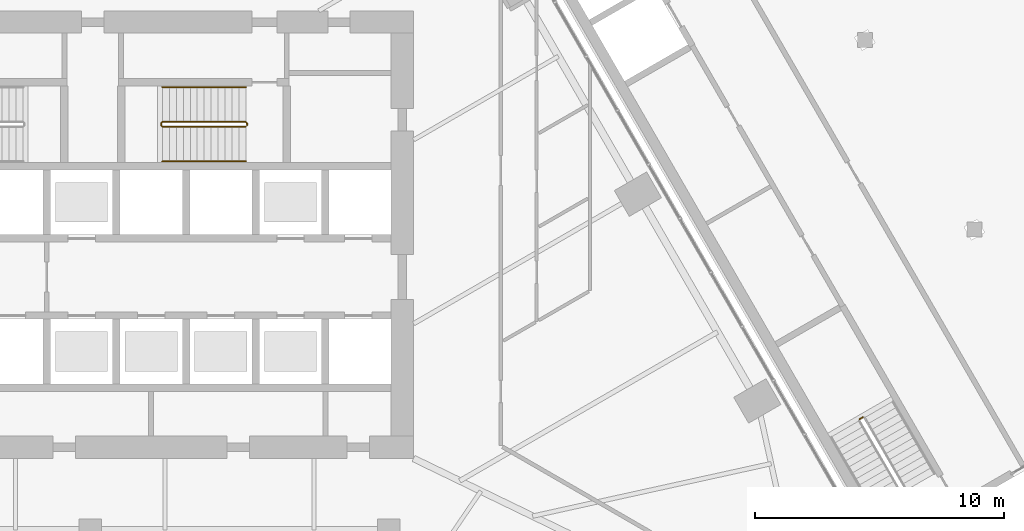
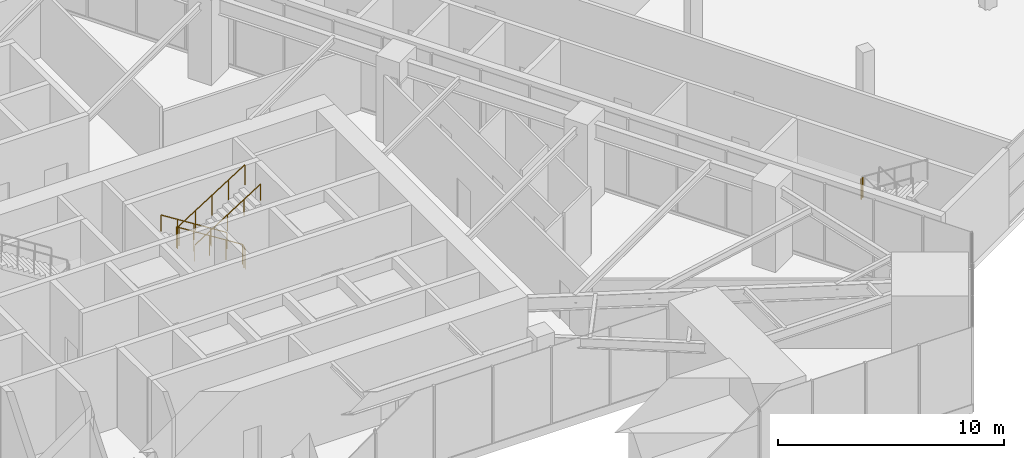
# One storey, part 24 of 29: 4 railings.
"""IFC4 building model written with IfcOpenShell, lengths in metres."""

from ifc_helpers import new_model, si_unit, direction, frame, origin, origin_2d, place, context, subcontext, project, spatial, circle, extrude, material, type_object, element, save


model = new_model("IFC4")

# Units and contexts
model_context = context("Model", 3, precision=1e-05, world=origin(), true_north=direction((0.0, 1.0)))
body_context = subcontext(model_context, "Body", "Model", "MODEL_VIEW")
ifc_project = project(units=[si_unit("LENGTHUNIT", "METRE"), si_unit("AREAUNIT", "SQUARE_METRE"), si_unit("VOLUMEUNIT", "CUBIC_METRE"), si_unit("PLANEANGLEUNIT", "RADIAN"), si_unit("MASSUNIT", "GRAM", prefix="KILO")], contexts=[model_context])

# Site, building, storey
site_placement = place(None, origin())
site = spatial("IfcSite", under=ifc_project, at=site_placement, CompositionType="ELEMENT")
building_placement = place(site_placement, origin())
building = spatial("IfcBuilding", under=site, at=building_placement, Name="Firuza Gate Tower and Library", CompositionType="ELEMENT")
storey_placement = place(building_placement, frame((0.0, 0.0, 17.199951171875)))
storey = spatial("IfcBuildingStorey", under=building, at=storey_placement, Name="L03", CompositionType="ELEMENT", Elevation=17.199951171875)

# Railings
ifc_material_1 = material(Name="Steel S355", Category="steel")
railing_type_1 = type_object("IfcRailingType", Name="LIB GUARD", PredefinedType="GUARDRAIL", material=ifc_material_1)
railing_1_placement = place(storey_placement, frame((106.066650390625, 67.659912109375, 2.300048828125)))
element("IfcRailing", 1, at=railing_1_placement, inside=storey, type_object=railing_type_1, Name="L03 LIB-ST-B stair guard 2", PredefinedType="GUARDRAIL", context=body_context, shape_type="SweptSolid", body=[
    extrude(circle(Radius=0.02392578125, at=origin_2d()), frame((0.0, 0.0, 1.076171875), z_axis=(-0.866131372301, -0.499816412211, 0.0), x_axis=(0.499816412211, -0.866131372301, 0.0)), (0.0, 0.0, 1.0), 0.14990234375),
    extrude(circle(Radius=0.02099609375, at=origin_2d()), origin(), (0.0, 0.0, 1.0), 1.052001953125),
    extrude(circle(Radius=0.02099609375, at=origin_2d()), frame((-0.1298828125, -0.074951171875, 0.0)), (0.0, 0.0, 1.0), 1.052001953125),
])
ifc_material_2 = material(Name="Steel S355", Category="steel")
railing_type_2 = type_object("IfcRailingType", Name="Stair guard 1100", PredefinedType="GUARDRAIL", material=ifc_material_2)
railing_2_placement = place(storey_placement, frame((81.31005859375, 79.489990234375, 0.0)))
element("IfcRailing", 2, at=railing_2_placement, inside=storey, type_object=railing_type_2, Name="L03 ST2 stair guard 1", PredefinedType="GUARDRAIL", context=body_context, shape_type="SweptSolid", body=[
    extrude(circle(Radius=0.02392578125, at=origin_2d()), frame((0.0, 0.0, 1.076171875), z_axis=(0.0, -1.0, 0.0), x_axis=(1.0, 0.0, 0.0)), (0.0, 0.0, 1.0), 0.10009765625),
    extrude(circle(Radius=0.02392578125, at=origin_2d()), frame((0.0, -0.10009765625, 1.076171875), z_axis=(-0.210783682489, 0.632351047466, 0.74545448685), x_axis=(-0.948683298051, -0.316227766017, 0.0)), (0.0, 0.0, 1.0), 0.237548828125),
    extrude(circle(Radius=0.02392578125, at=origin_2d()), frame((-0.050048828125, 0.050048828125, 1.2529296875), z_axis=(-0.845389635667, 0.0, 0.534150132366), x_axis=(0.0, -1.0, 0.0)), (0.0, 0.0, 1.0), 3.974609375),
    extrude(circle(Radius=0.02392578125, at=origin_2d()), frame((-3.41015625, 0.050048828125, 3.3759765625), z_axis=(-0.705375805398, -0.708833529934, 0.0), x_axis=(0.708833529934, -0.705375805398, 0.0)), (0.0, 0.0, 1.0), 0.070556640625),
    extrude(circle(Radius=0.02392578125, at=origin_2d()), frame((-3.4599609375, 0.0, 3.3759765625), z_axis=(0.0, -1.0, 0.0), x_axis=(1.0, 0.0, 0.0)), (0.0, 0.0, 1.0), 0.10009765625),
    extrude(circle(Radius=0.02392578125, at=origin_2d()), frame((-3.4599609375, -0.10009765625, 3.3759765625), z_axis=(0.261440289461, -0.261440289461, 0.929138283623), x_axis=(0.707106781187, 0.707106781187, 0.0)), (0.0, 0.0, 1.0), 0.1904296875),
    extrude(circle(Radius=0.02392578125, at=origin_2d()), frame((-3.41015625, -0.14990234375, 3.55322265625), z_axis=(0.845389635667, 0.0, 0.534150132366), x_axis=(0.0, 1.0, 0.0)), (0.0, 0.0, 1.0), 3.974609375),
    extrude(circle(Radius=0.02099609375, at=origin_2d()), origin(), (0.0, 0.0, 1.0), 1.052001953125),
    extrude(circle(Radius=0.02099609375, at=origin_2d()), frame((0.0, -0.10009765625, 0.0)), (0.0, 0.0, 1.0), 1.052001953125),
    extrude(circle(Radius=0.02099609375, at=origin_2d()), frame((-0.050048828125, 0.050048828125, 0.177001953125)), (0.0, 0.0, 1.0), 1.052001953125),
    extrude(circle(Radius=0.02099609375, at=origin_2d()), frame((-0.89013671875, 0.050048828125, 0.707763671875)), (0.0, 0.0, 1.0), 1.052001953125),
    extrude(circle(Radius=0.02099609375, at=origin_2d()), frame((-1.72998046875, 0.050048828125, 1.238525390625)), (0.0, 0.0, 1.0), 1.052001953125),
    extrude(circle(Radius=0.02099609375, at=origin_2d()), frame((-2.570068359375, 0.050048828125, 1.769287109375)), (0.0, 0.0, 1.0), 1.052001953125),
    extrude(circle(Radius=0.02099609375, at=origin_2d()), frame((-3.41015625, 0.050048828125, 2.300048828125)), (0.0, 0.0, 1.0), 1.052001953125),
    extrude(circle(Radius=0.02099609375, at=origin_2d()), frame((-3.4599609375, 0.0, 2.300048828125)), (0.0, 0.0, 1.0), 1.052001953125),
    extrude(circle(Radius=0.02099609375, at=origin_2d()), frame((-3.4599609375, -0.10009765625, 2.300048828125)), (0.0, 0.0, 1.0), 1.052001953125),
    extrude(circle(Radius=0.02099609375, at=origin_2d()), frame((-3.41015625, -0.14990234375, 2.47705078125)), (0.0, 0.0, 1.0), 1.052001953125),
    extrude(circle(Radius=0.02099609375, at=origin_2d()), frame((-2.570068359375, -0.14990234375, 3.0078125)), (0.0, 0.0, 1.0), 1.052001953125),
    extrude(circle(Radius=0.02099609375, at=origin_2d()), frame((-1.72998046875, -0.14990234375, 3.53857421875)), (0.0, 0.0, 1.0), 1.052001953125),
    extrude(circle(Radius=0.02099609375, at=origin_2d()), frame((-0.89013671875, -0.14990234375, 4.0693359375)), (0.0, 0.0, 1.0), 1.052001953125),
    extrude(circle(Radius=0.02099609375, at=origin_2d()), frame((-0.050048828125, -0.14990234375, 4.60009765625)), (0.0, 0.0, 1.0), 1.052001953125),
])
ifc_material_3 = material(Name="Steel S355", Category="steel")
railing_type_3 = type_object("IfcRailingType", Name="Stair handrail 900", PredefinedType="HANDRAIL", material=ifc_material_3)
railing_3_placement = place(storey_placement, frame((81.260009765625, 80.929931640625, 0.177001953125)))
element("IfcRailing", 3, at=railing_3_placement, inside=storey, type_object=railing_type_3, Name="L03 ST2 stair handrail 1", PredefinedType="HANDRAIL", context=body_context, shape_type="SweptSolid", body=[
    extrude(circle(Radius=0.02392578125, at=origin_2d()), frame((0.0, 0.0, 0.8759765625), z_axis=(-0.845389635667, 0.0, 0.534150132366), x_axis=(0.0, -1.0, 0.0)), (0.0, 0.0, 1.0), 3.974609375),
    extrude(circle(Radius=0.02099609375, at=origin_2d()), origin(), (0.0, 0.0, 1.0), 0.851806640625),
    extrude(circle(Radius=0.02099609375, at=origin_2d()), frame((-0.840087890625, 0.0, 0.53076171875)), (0.0, 0.0, 1.0), 0.851806640625),
    extrude(circle(Radius=0.02099609375, at=origin_2d()), frame((-1.68017578125, 0.0, 1.0615234375)), (0.0, 0.0, 1.0), 0.851806640625),
    extrude(circle(Radius=0.02099609375, at=origin_2d()), frame((-2.52001953125, 0.0, 1.59228515625)), (0.0, 0.0, 1.0), 0.851806640625),
    extrude(circle(Radius=0.02099609375, at=origin_2d()), frame((-3.360107421875, 0.0, 2.123046875)), (0.0, 0.0, 1.0), 0.851806640625),
])
railing_4_placement = place(storey_placement, frame((77.89990234375, 77.949951171875, 2.47705078125)))
element("IfcRailing", 4, at=railing_4_placement, inside=storey, type_object=railing_type_3, Name="L03 ST2 stair handrail 2", PredefinedType="HANDRAIL", context=body_context, shape_type="SweptSolid", body=[
    extrude(circle(Radius=0.02392578125, at=origin_2d()), frame((0.0, 0.0, 0.8759765625), z_axis=(0.845389635667, 0.0, 0.534150132366), x_axis=(0.0, 1.0, 0.0)), (0.0, 0.0, 1.0), 3.974609375),
    extrude(circle(Radius=0.02099609375, at=origin_2d()), origin(), (0.0, 0.0, 1.0), 0.851806640625),
    extrude(circle(Radius=0.02099609375, at=origin_2d()), frame((0.840087890625, 0.0, 0.53076171875)), (0.0, 0.0, 1.0), 0.851806640625),
    extrude(circle(Radius=0.02099609375, at=origin_2d()), frame((1.68017578125, 0.0, 1.0615234375)), (0.0, 0.0, 1.0), 0.851806640625),
    extrude(circle(Radius=0.02099609375, at=origin_2d()), frame((2.52001953125, 0.0, 1.59228515625)), (0.0, 0.0, 1.0), 0.851806640625),
    extrude(circle(Radius=0.02099609375, at=origin_2d()), frame((3.360107421875, 0.0, 2.123046875)), (0.0, 0.0, 1.0), 0.851806640625),
])

save(model, "model.ifc")
